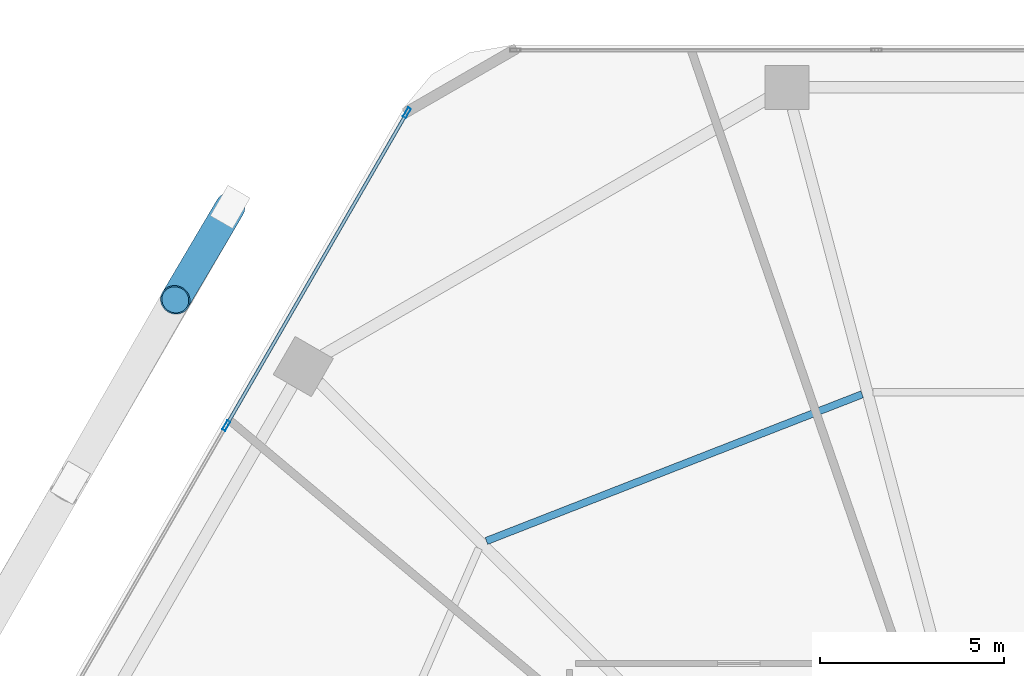
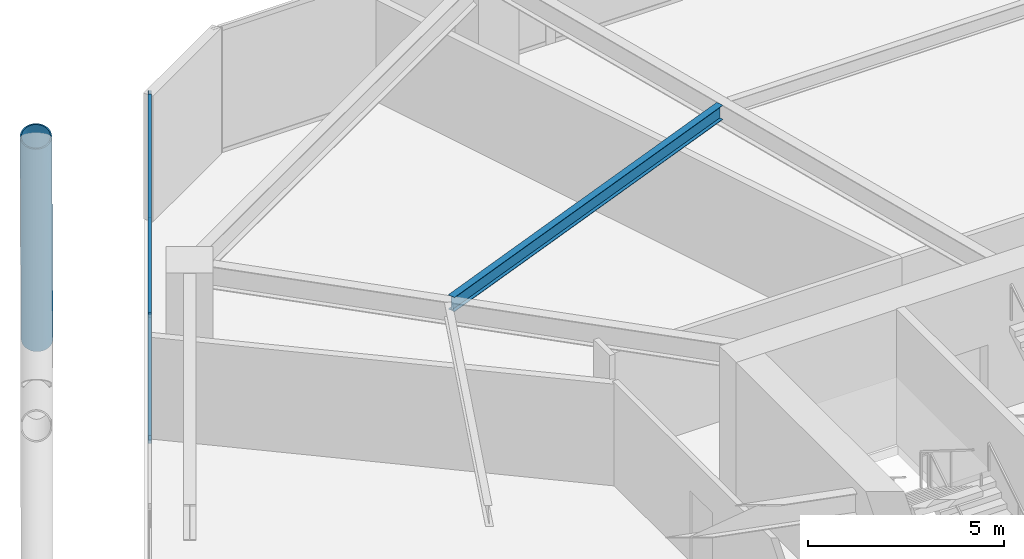
# One storey, part 16 of 29: 5 members, 1 beam, 1 element without a shape of its own.
"""IFC4 building model written with IfcOpenShell, lengths in metres."""

from ifc_helpers import new_model, si_unit, direction, frame, origin, origin_2d, place, context, subcontext, project, spatial, hollow_rectangle, hollow_circle, i_section, extrude, material, material_profile, profile_set, type_object, element, aggregate, save


model = new_model("IFC4")

# Units and contexts
model_context = context("Model", 3, precision=1e-05, world=origin(), true_north=direction((0.0, 1.0)))
body_context = subcontext(model_context, "Body", "Model", "MODEL_VIEW")
ifc_project = project(units=[si_unit("LENGTHUNIT", "METRE"), si_unit("AREAUNIT", "SQUARE_METRE"), si_unit("VOLUMEUNIT", "CUBIC_METRE"), si_unit("PLANEANGLEUNIT", "RADIAN"), si_unit("MASSUNIT", "GRAM", prefix="KILO")], contexts=[model_context])

# Site, building, storey
site_placement = place(None, origin())
site = spatial("IfcSite", under=ifc_project, at=site_placement, CompositionType="ELEMENT")
building_placement = place(site_placement, origin())
building = spatial("IfcBuilding", under=site, at=building_placement, Name="Zuhravey Tower", CompositionType="ELEMENT")
storey_placement = place(building_placement, frame((0.0, 0.0, 41.39990234375)))
storey = spatial("IfcBuildingStorey", under=building, at=storey_placement, Name="L10", CompositionType="ELEMENT", Elevation=41.39990234375)

# Curtain wall, members
ifc_material_1 = material(Name="Thermally broken anodised aluminium", Category="aluminium")
curtain_wall_type = type_object("IfcCurtainWallType", Name="School Low-E Unitised Curtain Wall CW1", PredefinedType="NOTDEFINED", material=ifc_material_1)
curtain_wall_placement = place(storey_placement, origin())
curtain_wall = element("IfcCurtainWall", 1, at=curtain_wall_placement, inside=storey, type_object=curtain_wall_type, Name="L10 CW1 CW-L10-F3-1", PredefinedType="NOTDEFINED")
ifc_material_2 = material(Name="Anodised aluminium", Category="aluminium")
ifc_material_profile_1 = material_profile(ifc_material_2, hollow_rectangle(XDim=0.090087890625, YDim=0.284912109375, WallThickness=0.0048828125, at=origin_2d()), Name="ALU-RHS-90x285x5")
ifc_profile_set_1 = profile_set([ifc_material_profile_1], Name="Anodised aluminium")
member_type_1 = type_object("IfcMemberType", Name="Curtain-Wall Mullion 90x180", PredefinedType="MULLION", material=ifc_profile_set_1)
member_1_placement = place(storey_placement, frame((13.387939453125, 50.75146484375, 0.0), z_axis=(0.0, 0.0, 1.0), x_axis=(-0.86602552265, 0.499999794119, 0.0)))
member_1 = element("IfcMember", 2, at=member_1_placement, type_object=member_type_1, Name="CW1 mullion 3", PredefinedType="MULLION", context=body_context, shape_type="SweptSolid", body=[
    extrude(hollow_rectangle(XDim=0.090087890625, YDim=0.284912109375, WallThickness=0.0048828125, at=origin_2d()), origin(), (0.0, 0.0, 1.0), 3.920166015625),
])
member_2_placement = place(storey_placement, frame((18.298583984375, 59.257080078125, 0.0), z_axis=(0.0, 0.0, 1.0), x_axis=(-0.86602552265, 0.499999794119, 0.0)))
member_2 = element("IfcMember", 3, at=member_2_placement, type_object=member_type_1, Name="CW1 mullion 4", PredefinedType="MULLION", context=body_context, shape_type="SweptSolid", body=[
    extrude(hollow_rectangle(XDim=0.090087890625, YDim=0.284912109375, WallThickness=0.0048828125, at=origin_2d()), origin(), (0.0, 0.0, 1.0), 3.920166015625),
])
ifc_material_profile_2 = material_profile(ifc_material_2, hollow_rectangle(XDim=0.090087890625, YDim=0.14990234375, WallThickness=0.0048828125, at=origin_2d()), Name="ALU-RHS-90x150x5")
ifc_profile_set_2 = profile_set([ifc_material_profile_2], Name="Anodised aluminium")
member_type_2 = type_object("IfcMemberType", Name="Curtain-Wall Transom 90x150", PredefinedType="USERDEFINED", material=ifc_profile_set_2)
member_3_placement = place(storey_placement, frame((13.410400390625, 50.79052734375, 0.045166015625), z_axis=(0.499989576763, 0.86603142156, 0.0), x_axis=(-0.86603142156, 0.499989576763, 0.0)))
member_3 = element("IfcMember", 4, at=member_3_placement, type_object=member_type_2, Name="CW1 transom 3.1", ObjectType="TRANSOM", PredefinedType="USERDEFINED", context=body_context, shape_type="SweptSolid", body=[
    extrude(hollow_rectangle(XDim=0.090087890625, YDim=0.14990234375, WallThickness=0.0048828125, at=origin_2d()), origin(), (0.0, 0.0, 1.0), 9.731201171875),
])
member_4_placement = place(storey_placement, frame((13.410400390625, 50.79052734375, 3.875), z_axis=(0.499989576763, 0.86603142156, 0.0), x_axis=(-0.86603142156, 0.499989576763, 0.0)))
member_4 = element("IfcMember", 5, at=member_4_placement, type_object=member_type_2, Name="CW1 transom 3.2", ObjectType="TRANSOM", PredefinedType="USERDEFINED", context=body_context, shape_type="SweptSolid", body=[
    extrude(hollow_rectangle(XDim=0.090087890625, YDim=0.14990234375, WallThickness=0.0048828125, at=origin_2d()), origin(), (0.0, 0.0, 1.0), 9.731201171875),
])
aggregate(curtain_wall, [member_1, member_2, member_3, member_4])

# Member
ifc_material_3 = material(Name="Steel SM460", Category="steel")
ifc_material_profile_3 = material_profile(ifc_material_3, hollow_circle(Radius=0.406494140625, WallThickness=0.035888671875, at=origin_2d()), Name="CHS-812.8x36")
ifc_profile_set_3 = profile_set([ifc_material_profile_3], Name="Steel SM460")
member_type_3 = type_object("IfcMemberType", Name="Exoskeleton Zone 1 Diagrid CHS813x36", PredefinedType="BRACE", material=ifc_profile_set_3)
member_5_placement = place(storey_placement, frame((13.49169921875, 56.69140625, -0.471923828125), z_axis=(-0.168255765182, -0.284672651548, 0.943743333192), x_axis=(0.860873401885, -0.508819207507, 0.0)))
element("IfcMember", 6, at=member_5_placement, inside=storey, type_object=member_type_3, Name="L10 Face 3 Diagrid Brace 1", PredefinedType="BRACE", context=body_context, shape_type="SweptSolid", body=[
    extrude(hollow_circle(Radius=0.406494140625, WallThickness=0.035888671875, at=origin_2d()), origin(), (0.0, 0.0, 1.0), 8.85400390625),
])

# Beam
ifc_material_4 = material(Name="Steel SM355", Category="steel")
ifc_material_profile_4 = material_profile(ifc_material_4, i_section(OverallWidth=0.199951171875, OverallDepth=0.449951171875, WebThickness=0.009033203125, FlangeThickness=0.013916015625, at=origin_2d()), Name="H-450x200x9x14")
ifc_profile_set_4 = profile_set([ifc_material_profile_4], Name="Steel SM355")
beam_type = type_object("IfcBeamType", Name="Secondary Floor Joist H450x200", PredefinedType="JOIST", material=ifc_profile_set_4)
beam_placement = place(storey_placement, frame((30.67236328125, 51.60302734375, 3.695068359375), z_axis=(-0.931516535886, -0.363698973562, 0.0), x_axis=(0.363698973562, -0.931516535886, 0.0)))
element("IfcBeam", 7, at=beam_placement, inside=storey, type_object=beam_type, Name="L10 SJ1 BM-L10-SJ-04-1", PredefinedType="JOIST", context=body_context, shape_type="SweptSolid", body=[
    extrude(i_section(OverallWidth=0.199951171875, OverallDepth=0.449951171875, WebThickness=0.009033203125, FlangeThickness=0.013916015625, at=origin_2d()), origin(), (0.0, 0.0, 1.0), 10.963134765625),
])

save(model, "model.ifc")
